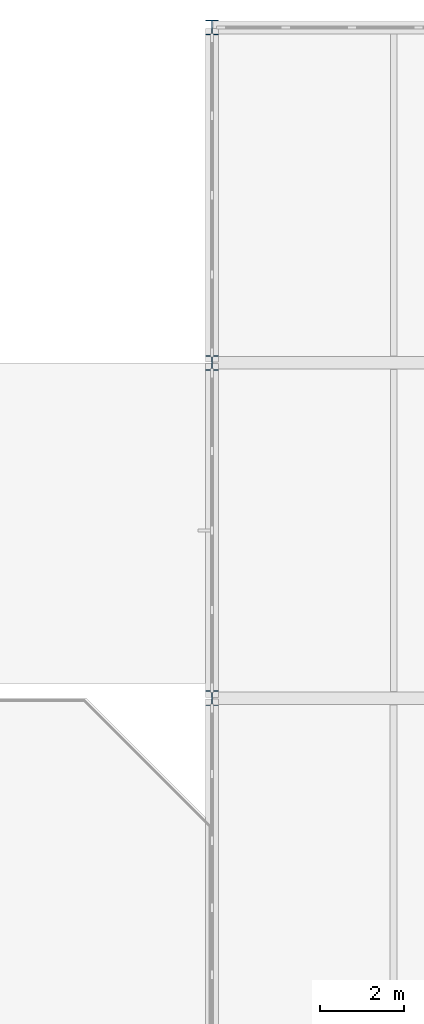
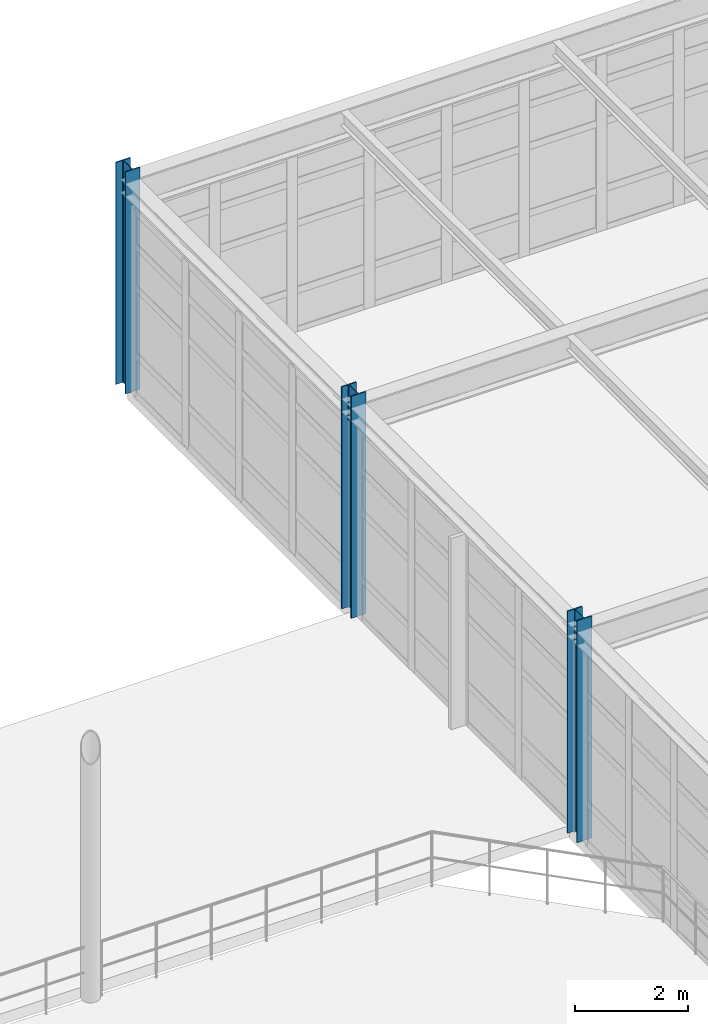
# One storey, part 16 of 139: 3 columns.
"""IFC4 building model written with IfcOpenShell, lengths in metres."""

from ifc_helpers import new_model, si_unit, direction, frame, origin, origin_2d, place, context, subcontext, project, spatial, i_section, extrude, material, material_profile, profile_set, type_object, element, save


model = new_model("IFC4")

# Units and contexts
model_context = context("Model", 3, precision=1e-05, world=origin(), true_north=direction((0.0, 1.0)))
body_context = subcontext(model_context, "Body", "Model", "MODEL_VIEW")
ifc_project = project(units=[si_unit("LENGTHUNIT", "METRE"), si_unit("AREAUNIT", "SQUARE_METRE"), si_unit("VOLUMEUNIT", "CUBIC_METRE"), si_unit("PLANEANGLEUNIT", "RADIAN"), si_unit("MASSUNIT", "GRAM", prefix="KILO"), si_unit("THERMODYNAMICTEMPERATUREUNIT", "KELVIN"), si_unit("POWERUNIT", "WATT")], contexts=[model_context])

# Site, building, storey
site_placement = place(None, origin())
site = spatial("IfcSite", under=ifc_project, at=site_placement, CompositionType="ELEMENT")
building_placement = place(site_placement, origin())
building = spatial("IfcBuilding", under=site, at=building_placement, Name="Korenveer Ferry Terminal", CompositionType="ELEMENT")
storey_placement = place(building_placement, frame((0.0, 0.0, 5.39990234375)))
storey = spatial("IfcBuildingStorey", under=building, at=storey_placement, Name="L01", CompositionType="ELEMENT", Elevation=5.39990234375)

# Columns
ifc_material = material(Name="Steel S355", Category="steel")
ifc_material_profile = material_profile(ifc_material, i_section(OverallWidth=0.300048828125, OverallDepth=0.360107421875, WebThickness=0.012451171875, FlangeThickness=0.0224609375, FilletRadius=0.027099609375, at=origin_2d()), Name="HEB 360")
ifc_profile_set = profile_set([ifc_material_profile], Name="Steel S355")
column_type = type_object("IfcColumnType", Name="STR-COL-HEB360", PredefinedType="COLUMN", material=ifc_profile_set)
for number, where, z_axis, x_axis, name in (
    (1, (123.0, 100.0, 0.0), (0.0, 0.0, 1.0), (1.0, 0.0, 0.0), "Column COL-L01-X123-Y100"),
    (2, (123.0, 108.0, 0.0), (0.0, 0.0, 1.0), (1.0, 0.0, 0.0), "Column COL-L01-X123-Y108"),
    (3, (123.0, 116.0, 0.0), (0.0, 0.0, 1.0), (1.0, 0.0, 0.0), "Column COL-L01-X123-Y116"),
):
    element("IfcColumn", number, at=place(storey_placement, frame(where, z_axis=z_axis, x_axis=x_axis)), inside=storey, type_object=column_type, Name=name, PredefinedType="COLUMN", context=body_context, shape_type="SweptSolid", body=[
        extrude(i_section(OverallWidth=0.300048828125, OverallDepth=0.360107421875, WebThickness=0.012451171875, FlangeThickness=0.0224609375, FilletRadius=0.027099609375, at=origin_2d()), origin(), (0.0, 0.0, 1.0), 4.800048828125),
    ])

save(model, "model.ifc")
